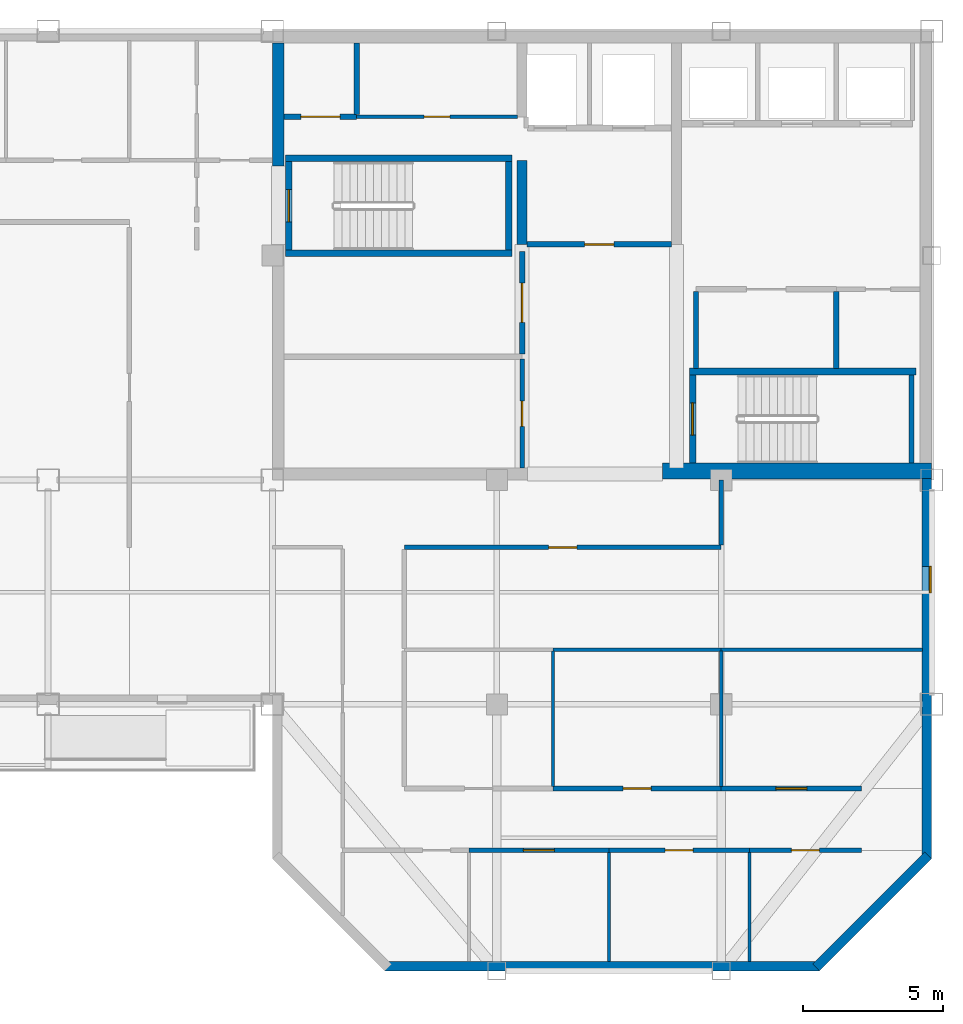
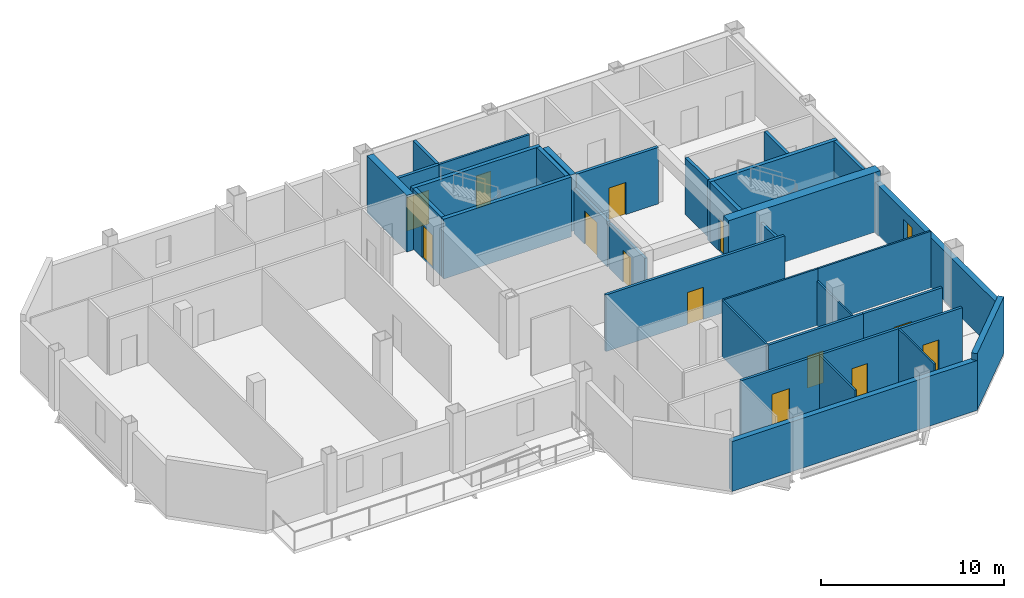
# One storey, part 3 of 7: 34 walls, 13 doors, 1 window, 14 openings.
"""IFC4 building model written with IfcOpenShell, lengths in metres."""

from ifc_helpers import new_model, si_unit, direction, frame, frame_2d, origin, place, context, subcontext, project, spatial, rectangle, extrude, material, layer, layer_set, type_object, element, fill, save


model = new_model("IFC4")

# Units and contexts
model_context = context("Model", 3, precision=1e-05, world=origin(), true_north=direction((0.0, 1.0)))
body_context = subcontext(model_context, "Body", "Model", "MODEL_VIEW")
ifc_project = project(units=[si_unit("LENGTHUNIT", "METRE"), si_unit("AREAUNIT", "SQUARE_METRE"), si_unit("VOLUMEUNIT", "CUBIC_METRE"), si_unit("PLANEANGLEUNIT", "RADIAN"), si_unit("MASSUNIT", "GRAM", prefix="KILO")], contexts=[model_context])

# Site, building, storey
site_placement = place(None, origin())
site = spatial("IfcSite", under=ifc_project, at=site_placement, CompositionType="ELEMENT")
building_placement = place(site_placement, origin())
building = spatial("IfcBuilding", under=site, at=building_placement, Name="Qianrong Seaharbour Tower", CompositionType="ELEMENT")
storey_placement = place(building_placement, frame((0.0, 0.0, 359.199951171875)))
storey = spatial("IfcBuildingStorey", under=building, at=storey_placement, Name="L87", CompositionType="ELEMENT", Elevation=359.199951171875)

# Walls
ifc_material_1 = material(Name="Concrete C50/60", Category="concrete")
ifc_layer_1 = layer(ifc_material_1, 0.419921875)
ifc_layer_set_1 = layer_set([ifc_layer_1], Name="Concrete C50/60")
wall_type_1 = type_object("IfcWallType", Name="WALL-CORE-420", PredefinedType="SHEAR", material=ifc_layer_set_1)
wall_1_placement = place(storey_placement, frame((40.7099609375, 47.199951171875, 0.0), z_axis=(0.0, 0.0, 1.0), x_axis=(0.0, 1.0, 0.0)))
element("IfcWall", 1, at=wall_1_placement, inside=storey, type_object=wall_type_1, Name="L87 West Core Shear Wall North", PredefinedType="SHEAR", context=body_context, shape_type="SweptSolid", body=[
    extrude(rectangle(XDim=4.380126953125, YDim=0.419921875, at=frame_2d((2.18994140625, 0.0))), origin(), (0.0, 0.0, 1.0), 3.78515625),
])
ifc_material_2 = material(Name="Concrete C70/85", Category="concrete")
ifc_layer_2 = layer(ifc_material_2, 0.580078125)
ifc_layer_set_2 = layer_set([ifc_layer_2], Name="Concrete C70/85")
wall_type_2 = type_object("IfcWallType", Name="WALL-CORE-580", PredefinedType="SHEAR", material=ifc_layer_set_2)
wall_2_placement = place(storey_placement, frame((54.39990234375, 36.320068359375, 0.0), z_axis=(0.0, 0.0, 1.0), x_axis=(1.0, 0.0, 0.0)))
element("IfcWall", 2, at=wall_2_placement, inside=storey, type_object=wall_type_2, Name="L87 South Core Shear Wall S3", PredefinedType="SHEAR", context=body_context, shape_type="SweptSolid", body=[
    extrude(rectangle(XDim=9.60009765625, YDim=0.580078125, at=frame_2d((4.800048828125, 0.0))), origin(), (0.0, 0.0, 1.0), 4.0),
])
ifc_layer_3 = layer(ifc_material_1, 0.35009765625)
ifc_layer_set_3 = layer_set([ifc_layer_3], Name="Concrete C50/60")
wall_type_3 = type_object("IfcWallType", Name="WALL-CORE-INT-350", PredefinedType="SHEAR", material=ifc_layer_set_3)
wall_3_placement = place(storey_placement, frame((49.39990234375, 44.39990234375, 0.0), z_axis=(0.0, 0.0, 1.0), x_axis=(0.0, 1.0, 0.0)))
element("IfcWall", 3, at=wall_3_placement, inside=storey, type_object=wall_type_3, Name="L87 Internal Core Shear Wall IW1N1", PredefinedType="SHEAR", context=body_context, shape_type="SweptSolid", body=[
    extrude(rectangle(XDim=3.0, YDim=0.35009765625, at=frame_2d((1.5, 0.0))), origin(), (0.0, 0.0, 1.0), 3.78515625),
])

# Wall, opening, door
ifc_material_3 = material(Name="Fire-rated acoustic gypsum board partition")
ifc_layer_4 = layer(ifc_material_3, 0.1650390625)
ifc_layer_set_4 = layer_set([ifc_layer_4], Name="Fire-rated acoustic gypsum board partition")
wall_type_4 = type_object("IfcWallType", Name="WALL-CORR-PART-165", PredefinedType="PARTITIONING", material=ifc_layer_set_4)
wall_4_placement = place(storey_placement, frame((49.39990234375, 36.419921875, 0.0), z_axis=(0.0, 0.0, 1.0), x_axis=(0.0, 1.0, 0.0)))
wall_4 = element("IfcWall", 4, at=wall_4_placement, inside=storey, type_object=wall_type_4, Name="L87 Interior Partition Wall 010", PredefinedType="PARTITIONING", context=body_context, shape_type="SweptSolid", body=[
    extrude(rectangle(XDim=3.89306640625, YDim=0.1650390625, at=frame_2d((1.946533203125, 0.0))), origin(), (0.0, 0.0, 1.0), 3.027099609375),
])
opening_1_placement = place(wall_4_placement, frame((1.49658203125, 0.0, 0.0)))
opening_1 = element("IfcOpeningElement", 5, at=opening_1_placement, cuts=wall_4, Name="Opening DS-01", PredefinedType="OPENING", context=body_context, shape_type="SweptSolid", body=[
    extrude(rectangle(XDim=0.89990234375, YDim=2.14990234375, at=frame_2d((0.449951171875, 1.074951171875))), frame((0.0, 0.092529296875, 0.0), z_axis=(0.0, -1.0, 0.0), x_axis=(1.0, 0.0, 0.0)), (0.0, 0.0, 1.0), 0.18505859375),
])
ifc_material_4 = material(Name="Acoustic timber and galvanized steel fire door assembly", Category="steel")
door_type_1 = type_object("IfcDoorType", Name="DOOR-STORE-900x2150", OperationType="NOTDEFINED", PredefinedType="DOOR", material=ifc_material_4)
door_1_placement = place(opening_1_placement, origin())
door_1 = element("IfcDoor", 6, at=door_1_placement, inside=storey, type_object=door_type_1, Name="L87 Corporate Archive Room Door", OperationType="SINGLE_SWING_RIGHT", OverallHeight=2.14990234375, OverallWidth=0.89990234375, PredefinedType="DOOR", context=body_context, shape_type="SweptSolid", body=[
    extrude(rectangle(XDim=0.89990234375, YDim=2.14990234375, at=frame_2d((0.449951171875, 1.074951171875))), frame((0.0, 0.02490234375, 0.0), z_axis=(0.0, -1.0, 0.0), x_axis=(1.0, 0.0, 0.0)), (0.0, 0.0, 1.0), 0.050048828125),
])
fill(opening_1, door_1)

# Wall
wall_5_placement = place(storey_placement, frame((56.5, 36.0, 0.0), z_axis=(0.0, 0.0, 1.0), x_axis=(0.0, -1.0, 0.0)))
element("IfcWall", 7, at=wall_5_placement, inside=storey, type_object=wall_type_4, Name="L87 Interior Partition Wall 026", PredefinedType="PARTITIONING", context=body_context, shape_type="SweptSolid", body=[
    extrude(rectangle(XDim=2.325439453125, YDim=0.1650390625, at=frame_2d((1.16259765625, 0.0))), origin(), (0.0, 0.0, 1.0), 3.177001953125),
])

# Wall, opening, door
wall_6_placement = place(storey_placement, frame((56.5, 33.60009765625, 0.0), z_axis=(0.0, 0.0, 1.0), x_axis=(-1.0, 0.0, 0.0)))
wall_6 = element("IfcWall", 8, at=wall_6_placement, inside=storey, type_object=wall_type_4, Name="L87 Interior Partition Wall 027", PredefinedType="PARTITIONING", context=body_context, shape_type="SweptSolid", body=[
    extrude(rectangle(XDim=11.300048828125, YDim=0.1650390625, at=frame_2d((5.64990234375, 0.0))), origin(), (0.0, 0.0, 1.0), 3.78515625),
])
opening_2_placement = place(wall_6_placement, frame((5.14990234375, 0.0, 0.0)))
opening_2 = element("IfcOpeningElement", 9, at=opening_2_placement, cuts=wall_6, Name="Opening DO-01", PredefinedType="OPENING", context=body_context, shape_type="SweptSolid", body=[
    extrude(rectangle(XDim=1.0, YDim=2.14990234375, at=frame_2d((0.5, 1.074951171875))), frame((0.0, 0.092529296875, 0.0), z_axis=(0.0, -1.0, 0.0), x_axis=(1.0, 0.0, 0.0)), (0.0, 0.0, 1.0), 0.18505859375),
])
door_type_2 = type_object("IfcDoorType", Name="DOOR-OFFICE-1000x2150", OperationType="NOTDEFINED", PredefinedType="DOOR", material=ifc_material_4)
door_2_placement = place(opening_2_placement, origin())
door_2 = element("IfcDoor", 10, at=door_2_placement, inside=storey, type_object=door_type_2, Name="L87 Commercial Desk Open-Plan Office Door", OperationType="SINGLE_SWING_LEFT", OverallHeight=2.14990234375, OverallWidth=1.0, PredefinedType="DOOR", context=body_context, shape_type="SweptSolid", body=[
    extrude(rectangle(XDim=1.0, YDim=2.14990234375, at=frame_2d((0.5, 1.074951171875))), frame((0.0, 0.02490234375, 0.0), z_axis=(0.0, -1.0, 0.0), x_axis=(1.0, 0.0, 0.0)), (0.0, 0.0, 1.0), 0.050048828125),
])
fill(opening_2, door_2)

wall_7_placement = place(storey_placement, frame((50.5, 25.0, 0.0), z_axis=(0.0, 0.0, 1.0), x_axis=(1.0, 0.0, 0.0)))
wall_7 = element("IfcWall", 11, at=wall_7_placement, inside=storey, type_object=wall_type_4, Name="L87 Interior Partition Wall 034", PredefinedType="PARTITIONING", context=body_context, shape_type="SweptSolid", body=[
    extrude(rectangle(XDim=6.0, YDim=0.1650390625, at=frame_2d((3.0, 0.0))), origin(), (0.0, 0.0, 1.0), 3.78515625),
])
opening_3_placement = place(wall_7_placement, frame((2.5, 0.0, 0.0)))
opening_3 = element("IfcOpeningElement", 12, at=opening_3_placement, cuts=wall_7, Name="Opening DO-01", PredefinedType="OPENING", context=body_context, shape_type="SweptSolid", body=[
    extrude(rectangle(XDim=1.0, YDim=2.14990234375, at=frame_2d((0.5, 1.074951171875))), frame((0.0, 0.092529296875, 0.0), z_axis=(0.0, -1.0, 0.0), x_axis=(1.0, 0.0, 0.0)), (0.0, 0.0, 1.0), 0.18505859375),
])
door_3_placement = place(opening_3_placement, origin())
door_3 = element("IfcDoor", 13, at=door_3_placement, inside=storey, type_object=door_type_2, Name="L87 Port Equipment Showroom 2 Door", OperationType="SINGLE_SWING_LEFT", OverallHeight=2.14990234375, OverallWidth=1.0, PredefinedType="DOOR", context=body_context, shape_type="SweptSolid", body=[
    extrude(rectangle(XDim=1.0, YDim=2.14990234375, at=frame_2d((0.5, 1.074951171875))), frame((0.0, 0.02490234375, 0.0), z_axis=(0.0, -1.0, 0.0), x_axis=(1.0, 0.0, 0.0)), (0.0, 0.0, 1.0), 0.050048828125),
])
fill(opening_3, door_3)

wall_8_placement = place(storey_placement, frame((56.5, 25.0, 0.0), z_axis=(0.0, 0.0, 1.0), x_axis=(1.0, 0.0, 0.0)))
wall_8 = element("IfcWall", 14, at=wall_8_placement, inside=storey, type_object=wall_type_4, Name="L87 Interior Partition Wall 035", PredefinedType="PARTITIONING", context=body_context, shape_type="SweptSolid", body=[
    extrude(rectangle(XDim=5.0, YDim=0.1650390625, at=frame_2d((2.5, 0.0))), origin(), (0.0, 0.0, 1.0), 3.78515625),
])
opening_4_placement = place(wall_8_placement, frame((1.949951171875, 0.0, 0.0)))
opening_4 = element("IfcOpeningElement", 15, at=opening_4_placement, cuts=wall_8, Name="Opening DM-01", PredefinedType="OPENING", context=body_context, shape_type="SweptSolid", body=[
    extrude(rectangle(XDim=1.10009765625, YDim=2.199951171875, at=frame_2d((0.550048828125, 1.10009765625))), frame((0.0, 0.092529296875, 0.0), z_axis=(0.0, -1.0, 0.0), x_axis=(1.0, 0.0, 0.0)), (0.0, 0.0, 1.0), 0.18505859375),
])
door_type_3 = type_object("IfcDoorType", Name="DOOR-MEET-1100x2200", OperationType="NOTDEFINED", PredefinedType="DOOR", material=ifc_material_4)
door_4_placement = place(opening_4_placement, origin())
door_4 = element("IfcDoor", 16, at=door_4_placement, inside=storey, type_object=door_type_3, Name="L87 Trade Meeting Room 3 Door", OperationType="SINGLE_SWING_RIGHT", OverallHeight=2.199951171875, OverallWidth=1.10009765625, PredefinedType="DOOR", context=body_context, shape_type="SweptSolid", body=[
    extrude(rectangle(XDim=1.10009765625, YDim=2.199951171875, at=frame_2d((0.550048828125, 1.10009765625))), frame((0.0, 0.02490234375, 0.0), z_axis=(0.0, -1.0, 0.0), x_axis=(1.0, 0.0, 0.0)), (0.0, 0.0, 1.0), 0.050048828125),
])
fill(opening_4, door_4)

wall_9_placement = place(storey_placement, frame((52.5, 22.800048828125, 0.0), z_axis=(0.0, 0.0, 1.0), x_axis=(-1.0, 0.0, 0.0)))
wall_9 = element("IfcWall", 17, at=wall_9_placement, inside=storey, type_object=wall_type_4, Name="L87 Interior Partition Wall 037", PredefinedType="PARTITIONING", context=body_context, shape_type="SweptSolid", body=[
    extrude(rectangle(XDim=5.0, YDim=0.1650390625, at=frame_2d((2.5, 0.0))), origin(), (0.0, 0.0, 1.0), 3.78515625),
])
opening_5_placement = place(wall_9_placement, frame((1.949951171875, 0.0, 0.0)))
opening_5 = element("IfcOpeningElement", 18, at=opening_5_placement, cuts=wall_9, Name="Opening DM-01", PredefinedType="OPENING", context=body_context, shape_type="SweptSolid", body=[
    extrude(rectangle(XDim=1.10009765625, YDim=2.199951171875, at=frame_2d((0.550048828125, 1.10009765625))), frame((0.0, 0.092529296875, 0.0), z_axis=(0.0, -1.0, 0.0), x_axis=(1.0, 0.0, 0.0)), (0.0, 0.0, 1.0), 0.18505859375),
])
door_5_placement = place(opening_5_placement, origin())
door_5 = element("IfcDoor", 19, at=door_5_placement, inside=storey, type_object=door_type_3, Name="L87 Contract Signing Room 2 Door", OperationType="SINGLE_SWING_LEFT", OverallHeight=2.199951171875, OverallWidth=1.10009765625, PredefinedType="DOOR", context=body_context, shape_type="SweptSolid", body=[
    extrude(rectangle(XDim=1.10009765625, YDim=2.199951171875, at=frame_2d((0.550048828125, 1.10009765625))), frame((0.0, 0.02490234375, 0.0), z_axis=(0.0, -1.0, 0.0), x_axis=(1.0, 0.0, 0.0)), (0.0, 0.0, 1.0), 0.050048828125),
])
fill(opening_5, door_5)

wall_10_placement = place(storey_placement, frame((57.5, 22.800048828125, 0.0), z_axis=(0.0, 0.0, 1.0), x_axis=(-1.0, 0.0, 0.0)))
wall_10 = element("IfcWall", 20, at=wall_10_placement, inside=storey, type_object=wall_type_4, Name="L87 Interior Partition Wall 038", PredefinedType="PARTITIONING", context=body_context, shape_type="SweptSolid", body=[
    extrude(rectangle(XDim=5.0, YDim=0.1650390625, at=frame_2d((2.5, 0.0))), origin(), (0.0, 0.0, 1.0), 3.78515625),
])
opening_6_placement = place(wall_10_placement, frame((2.0, 0.0, 0.0)))
opening_6 = element("IfcOpeningElement", 21, at=opening_6_placement, cuts=wall_10, Name="Opening DO-01", PredefinedType="OPENING", context=body_context, shape_type="SweptSolid", body=[
    extrude(rectangle(XDim=1.0, YDim=2.14990234375, at=frame_2d((0.5, 1.074951171875))), frame((0.0, 0.092529296875, 0.0), z_axis=(0.0, -1.0, 0.0), x_axis=(1.0, 0.0, 0.0)), (0.0, 0.0, 1.0), 0.18505859375),
])
door_6_placement = place(opening_6_placement, origin())
door_6 = element("IfcDoor", 22, at=door_6_placement, inside=storey, type_object=door_type_2, Name="L87 Marine Showcase Showroom 3 Door", OperationType="SINGLE_SWING_RIGHT", OverallHeight=2.14990234375, OverallWidth=1.0, PredefinedType="DOOR", context=body_context, shape_type="SweptSolid", body=[
    extrude(rectangle(XDim=1.0, YDim=2.14990234375, at=frame_2d((0.5, 1.074951171875))), frame((0.0, 0.02490234375, 0.0), z_axis=(0.0, -1.0, 0.0), x_axis=(1.0, 0.0, 0.0)), (0.0, 0.0, 1.0), 0.050048828125),
])
fill(opening_6, door_6)

wall_11_placement = place(storey_placement, frame((61.5, 22.800048828125, 0.0), z_axis=(0.0, 0.0, 1.0), x_axis=(-1.0, 0.0, 0.0)))
wall_11 = element("IfcWall", 23, at=wall_11_placement, inside=storey, type_object=wall_type_4, Name="L87 Interior Partition Wall 039", PredefinedType="PARTITIONING", context=body_context, shape_type="SweptSolid", body=[
    extrude(rectangle(XDim=4.0, YDim=0.1650390625, at=frame_2d((2.0, 0.0))), origin(), (0.0, 0.0, 1.0), 3.78515625),
])
opening_7_placement = place(wall_11_placement, frame((1.5, 0.0, 0.0)))
opening_7 = element("IfcOpeningElement", 24, at=opening_7_placement, cuts=wall_11, Name="Opening DO-01", PredefinedType="OPENING", context=body_context, shape_type="SweptSolid", body=[
    extrude(rectangle(XDim=1.0, YDim=2.14990234375, at=frame_2d((0.5, 1.074951171875))), frame((0.0, 0.092529296875, 0.0), z_axis=(0.0, -1.0, 0.0), x_axis=(1.0, 0.0, 0.0)), (0.0, 0.0, 1.0), 0.18505859375),
])
door_7_placement = place(opening_7_placement, origin())
door_7 = element("IfcDoor", 25, at=door_7_placement, inside=storey, type_object=door_type_2, Name="L87 Brokerage Office 4 Door", OperationType="SINGLE_SWING_LEFT", OverallHeight=2.14990234375, OverallWidth=1.0, PredefinedType="DOOR", context=body_context, shape_type="SweptSolid", body=[
    extrude(rectangle(XDim=1.0, YDim=2.14990234375, at=frame_2d((0.5, 1.074951171875))), frame((0.0, 0.02490234375, 0.0), z_axis=(0.0, -1.0, 0.0), x_axis=(1.0, 0.0, 0.0)), (0.0, 0.0, 1.0), 0.050048828125),
])
fill(opening_7, door_7)

# Walls
ifc_material_5 = material(Name="Demountable aluminium-framed acoustic office partition", Category="aluminium")
ifc_layer_5 = layer(ifc_material_5, 0.110107421875)
ifc_layer_set_5 = layer_set([ifc_layer_5], Name="Demountable aluminium-framed acoustic office partition")
wall_type_5 = type_object("IfcWallType", Name="WALL-DEMOUNT-110", PredefinedType="MOVABLE", material=ifc_layer_set_5)
wall_12_placement = place(storey_placement, frame((56.5, 29.949951171875, 0.0), z_axis=(0.0, 0.0, 1.0), x_axis=(-1.0, 0.0, 0.0)))
element("IfcWall", 26, at=wall_12_placement, inside=storey, type_object=wall_type_5, Name="L87 Interior Partition Wall 041", PredefinedType="MOVABLE", context=body_context, shape_type="SweptSolid", body=[
    extrude(rectangle(XDim=6.0, YDim=0.110107421875, at=frame_2d((3.0, 0.0))), origin(), (0.0, 0.0, 1.0), 3.78515625),
])
wall_13_placement = place(storey_placement, frame((63.66796875, 29.949951171875, 0.0), z_axis=(0.0, 0.0, 1.0), x_axis=(-1.0, 0.0, 0.0)))
element("IfcWall", 27, at=wall_13_placement, inside=storey, type_object=wall_type_5, Name="L87 Interior Partition Wall 042", PredefinedType="MOVABLE", context=body_context, shape_type="SweptSolid", body=[
    extrude(rectangle(XDim=7.16796875, YDim=0.110107421875, at=frame_2d((3.583984375, 0.0))), origin(), (0.0, 0.0, 1.0), 3.78515625),
])
wall_14_placement = place(storey_placement, frame((50.5, 29.903076171875, 0.0), z_axis=(0.0, 0.0, 1.0), x_axis=(0.0, -1.0, 0.0)))
element("IfcWall", 28, at=wall_14_placement, inside=storey, type_object=wall_type_5, Name="L87 Interior Partition Wall 043", PredefinedType="MOVABLE", context=body_context, shape_type="SweptSolid", body=[
    extrude(rectangle(XDim=4.82861328125, YDim=0.110107421875, at=frame_2d((2.414306640625, 0.0))), origin(), (0.0, 0.0, 1.0), 3.78515625),
])
wall_15_placement = place(storey_placement, frame((56.5, 29.903076171875, 0.0), z_axis=(0.0, 0.0, 1.0), x_axis=(0.0, -1.0, 0.0)))
element("IfcWall", 29, at=wall_15_placement, inside=storey, type_object=wall_type_5, Name="L87 Interior Partition Wall 044", PredefinedType="MOVABLE", context=body_context, shape_type="SweptSolid", body=[
    extrude(rectangle(XDim=4.82861328125, YDim=0.110107421875, at=frame_2d((2.414306640625, 0.0))), origin(), (0.0, 0.0, 1.0), 2.97705078125),
])
for number, where, z_axis, x_axis, name in (
    (30, (52.5, 22.7255859375, 0.0), (0.0, 0.0, 1.0), (0.0, -1.0, 0.0), "L87 Interior Partition Wall 052"),
    (31, (57.5, 22.7255859375, 0.0), (0.0, 0.0, 1.0), (0.0, -1.0, 0.0), "L87 Interior Partition Wall 053"),
):
    element("IfcWall", number, at=place(storey_placement, frame(where, z_axis=z_axis, x_axis=x_axis)), inside=storey, type_object=wall_type_5, Name=name, PredefinedType="MOVABLE", context=body_context, shape_type="SweptSolid", body=[
        extrude(rectangle(XDim=3.8935546875, YDim=0.110107421875, at=frame_2d((1.94677734375, 0.0))), origin(), (0.0, 0.0, 1.0), 3.78515625),
    ])

# Wall, opening, window
ifc_material_6 = material(Name="Unitised buff brick on Precast concrete C45/55", Category="masonry")
ifc_layer_6 = layer(ifc_material_6, 0.340087890625)
ifc_layer_set_6 = layer_set([ifc_layer_6], Name="Unitised buff brick on Precast concrete C45/55")
wall_type_6 = type_object("IfcWallType", Name="WALL-EXT-BRICK-BUFF-340", PredefinedType="SOLIDWALL", material=ifc_layer_set_6)
wall_16_placement = place(storey_placement, frame((63.830078125, 36.050048828125, 0.0), z_axis=(0.0, 0.0, 1.0), x_axis=(0.0, -1.0, 0.0)))
wall_16 = element("IfcWall", 32, at=wall_16_placement, inside=storey, type_object=wall_type_6, Name="L87 Exterior Masonry Facade Wall EAST_WING", PredefinedType="SOLIDWALL", context=body_context, shape_type="SweptSolid", body=[
    extrude(rectangle(XDim=13.550048828125, YDim=0.340087890625, at=frame_2d((6.77490234375, 0.0))), origin(), (0.0, 0.0, 1.0), 3.3349609375),
])
opening_8_placement = place(wall_16_placement, frame((3.125, 0.0, 0.89990234375)))
opening_8 = element("IfcOpeningElement", 33, at=opening_8_placement, cuts=wall_16, Name="Opening WN-13", PredefinedType="OPENING", context=body_context, shape_type="SweptSolid", body=[
    extrude(rectangle(XDim=0.949951171875, YDim=1.85009765625, at=frame_2d((0.47509765625, 0.925048828125))), frame((0.0, 0.18017578125, 0.0), z_axis=(0.0, -1.0, 0.0), x_axis=(1.0, 0.0, 0.0)), (0.0, 0.0, 1.0), 0.360107421875),
])
ifc_material_7 = material(Name="Insulated low-e double glazing in thermally broken aluminium 6063-T6 frame", Category="aluminium")
window_type = type_object("IfcWindowType", Name="WIN-NARROW-950x1850", PartitioningType="SINGLE_PANEL", PredefinedType="WINDOW", material=ifc_material_7)
window_placement = place(opening_8_placement, origin())
window = element("IfcWindow", 34, at=window_placement, inside=storey, type_object=window_type, Name="L87 Deep-Set Punched Window 06.01", OverallHeight=1.85009765625, OverallWidth=0.949951171875, PartitioningType="SINGLE_PANEL", PredefinedType="WINDOW", context=body_context, shape_type="SweptSolid", body=[
    extrude(rectangle(XDim=0.949951171875, YDim=1.85009765625, at=frame_2d((0.47509765625, 0.925048828125))), frame((0.0, 0.150146484375, 0.0), z_axis=(0.0, -1.0, 0.0), x_axis=(1.0, 0.0, 0.0)), (0.0, 0.0, 1.0), 0.06005859375),
])
fill(opening_8, window)

# Walls
wall_17_placement = place(storey_placement, frame((63.8798828125, 22.6201171875, 0.0), z_axis=(0.0, 0.0, 1.0), x_axis=(-0.707106781187, -0.707106781187, 0.0)))
element("IfcWall", 35, at=wall_17_placement, inside=storey, type_object=wall_type_6, Name="L87 Exterior Masonry Facade Wall E07", PredefinedType="SOLIDWALL", context=body_context, shape_type="SweptSolid", body=[
    extrude(rectangle(XDim=5.65673828125, YDim=0.340087890625, at=frame_2d((2.828369140625, 0.0))), origin(), (0.0, 0.0, 1.0), 3.78515625),
])
wall_18_placement = place(storey_placement, frame((60.0, 18.669921875, 0.0), z_axis=(0.0, 0.0, 1.0), x_axis=(-1.0, 0.0, 0.0)))
element("IfcWall", 36, at=wall_18_placement, inside=storey, type_object=wall_type_6, Name="L87 Exterior Masonry Facade Wall SOUTH_TIP", PredefinedType="SOLIDWALL", context=body_context, shape_type="SweptSolid", body=[
    extrude(rectangle(XDim=15.5, YDim=0.340087890625, at=frame_2d((7.75, 0.0))), origin(), (0.0, 0.0, 1.0), 3.3349609375),
])

# Wall, opening, door
ifc_material_8 = material(Name="Double fire-rated gypsum board acoustic partition")
ifc_layer_7 = layer(ifc_material_8, 0.18994140625)
ifc_layer_set_7 = layer_set([ifc_layer_7], Name="Double fire-rated gypsum board acoustic partition")
wall_type_7 = type_object("IfcWallType", Name="WALL-FIRE-PART-190", PredefinedType="PARTITIONING", material=ifc_layer_set_7)
wall_19_placement = place(storey_placement, frame((40.919921875, 48.949951171875, 0.0), z_axis=(0.0, 0.0, 1.0), x_axis=(1.0, 0.0, 0.0)))
wall_19 = element("IfcWall", 37, at=wall_19_placement, inside=storey, type_object=wall_type_7, Name="L87 Interior Partition Wall 007", PredefinedType="PARTITIONING", context=body_context, shape_type="SweptSolid", body=[
    extrude(rectangle(XDim=2.580078125, YDim=0.18994140625, at=frame_2d((1.2900390625, 0.0))), origin(), (0.0, 0.0, 1.0), 3.78515625),
])
opening_9_placement = place(wall_19_placement, frame((0.590087890625, 0.0, 0.0)))
opening_9 = element("IfcOpeningElement", 38, at=opening_9_placement, cuts=wall_19, Name="Opening DP-01", PredefinedType="OPENING", context=body_context, shape_type="SweptSolid", body=[
    extrude(rectangle(XDim=1.39990234375, YDim=2.25, at=frame_2d((0.699951171875, 1.125))), frame((0.0, 0.10498046875, 0.0), z_axis=(0.0, -1.0, 0.0), x_axis=(1.0, 0.0, 0.0)), (0.0, 0.0, 1.0), 0.2099609375),
])
door_type_4 = type_object("IfcDoorType", Name="DOOR-PLANT-PAIR-1400x2250", OperationType="DOUBLE_DOOR_SINGLE_SWING", PredefinedType="DOOR", material=ifc_material_4)
door_8_placement = place(opening_9_placement, origin())
door_8 = element("IfcDoor", 39, at=door_8_placement, inside=storey, type_object=door_type_4, Name="L87 Core Electrical Closet Door", OperationType="DOUBLE_DOOR_SINGLE_SWING", OverallHeight=2.25, OverallWidth=1.39990234375, PredefinedType="DOOR", context=body_context, shape_type="SweptSolid", body=[
    extrude(rectangle(XDim=1.39990234375, YDim=2.25, at=frame_2d((0.699951171875, 1.125))), frame((0.0, 0.02490234375, 0.0), z_axis=(0.0, -1.0, 0.0), x_axis=(1.0, 0.0, 0.0)), (0.0, 0.0, 1.0), 0.050048828125),
])
fill(opening_9, door_8)

wall_20_placement = place(storey_placement, frame((54.73291015625, 44.39990234375, 0.0), z_axis=(0.0, 0.0, 1.0), x_axis=(-1.0, 0.0, 0.0)))
wall_20 = element("IfcWall", 40, at=wall_20_placement, inside=storey, type_object=wall_type_7, Name="L87 Interior Partition Wall 009", PredefinedType="PARTITIONING", context=body_context, shape_type="SweptSolid", body=[
    extrude(rectangle(XDim=5.166015625, YDim=0.18994140625, at=frame_2d((2.5830078125, 0.0))), origin(), (0.0, 0.0, 1.0), 3.78515625),
])
opening_10_placement = place(wall_20_placement, frame((2.05810546875, 0.0, 0.0)))
opening_10 = element("IfcOpeningElement", 41, at=opening_10_placement, cuts=wall_20, Name="Opening DC-01", PredefinedType="OPENING", context=body_context, shape_type="SweptSolid", body=[
    extrude(rectangle(XDim=1.050048828125, YDim=2.14990234375, at=frame_2d((0.52490234375, 1.074951171875))), frame((0.0, 0.10498046875, 0.0), z_axis=(0.0, -1.0, 0.0), x_axis=(1.0, 0.0, 0.0)), (0.0, 0.0, 1.0), 0.2099609375),
])
door_type_5 = type_object("IfcDoorType", Name="DOOR-CORR-FD60-1050x2150", OperationType="NOTDEFINED", PredefinedType="DOOR", material=ifc_material_4)
door_9_placement = place(opening_10_placement, origin())
door_9 = element("IfcDoor", 42, at=door_9_placement, inside=storey, type_object=door_type_5, Name="L87 Firefighting Lift Lobby Door", OperationType="SINGLE_SWING_LEFT", OverallHeight=2.14990234375, OverallWidth=1.050048828125, PredefinedType="DOOR", context=body_context, shape_type="SweptSolid", body=[
    extrude(rectangle(XDim=1.050048828125, YDim=2.14990234375, at=frame_2d((0.52490234375, 1.074951171875))), frame((0.0, 0.02490234375, 0.0), z_axis=(0.0, -1.0, 0.0), x_axis=(1.0, 0.0, 0.0)), (0.0, 0.0, 1.0), 0.050048828125),
])
fill(opening_10, door_9)

wall_21_placement = place(storey_placement, frame((49.39990234375, 40.487060546875, 0.0), z_axis=(0.0, 0.0, 1.0), x_axis=(0.0, 1.0, 0.0)))
wall_21 = element("IfcWall", 43, at=wall_21_placement, inside=storey, type_object=wall_type_7, Name="L87 Interior Partition Wall 011", PredefinedType="PARTITIONING", context=body_context, shape_type="SweptSolid", body=[
    extrude(rectangle(XDim=3.662841796875, YDim=0.18994140625, at=frame_2d((1.83154296875, 0.0))), origin(), (0.0, 0.0, 1.0), 3.027099609375),
])
opening_11_placement = place(wall_21_placement, frame((1.131591796875, 0.0, 0.0)))
opening_11 = element("IfcOpeningElement", 44, at=opening_11_placement, cuts=wall_21, Name="Opening DP-01", PredefinedType="OPENING", context=body_context, shape_type="SweptSolid", body=[
    extrude(rectangle(XDim=1.39990234375, YDim=2.25, at=frame_2d((0.699951171875, 1.125))), frame((0.0, 0.10498046875, 0.0), z_axis=(0.0, -1.0, 0.0), x_axis=(1.0, 0.0, 0.0)), (0.0, 0.0, 1.0), 0.2099609375),
])
door_10_placement = place(opening_11_placement, origin())
door_10 = element("IfcDoor", 45, at=door_10_placement, inside=storey, type_object=door_type_4, Name="L87 Telecom Server Room Door", OperationType="DOUBLE_DOOR_SINGLE_SWING", OverallHeight=2.25, OverallWidth=1.39990234375, PredefinedType="DOOR", context=body_context, shape_type="SweptSolid", body=[
    extrude(rectangle(XDim=1.39990234375, YDim=2.25, at=frame_2d((0.699951171875, 1.125))), frame((0.0, 0.02490234375, 0.0), z_axis=(0.0, -1.0, 0.0), x_axis=(1.0, 0.0, 0.0)), (0.0, 0.0, 1.0), 0.050048828125),
])
fill(opening_11, door_10)

# Walls
wall_22_placement = place(storey_placement, frame((55.60009765625, 42.712890625, 0.0), z_axis=(0.0, 0.0, 1.0), x_axis=(0.0, -1.0, 0.0)))
element("IfcWall", 46, at=wall_22_placement, inside=storey, type_object=wall_type_7, Name="L87 Interior Partition Wall 012", PredefinedType="PARTITIONING", context=body_context, shape_type="SweptSolid", body=[
    extrude(rectangle(XDim=2.73095703125, YDim=0.18994140625, at=frame_2d((1.365478515625, 0.0))), origin(), (0.0, 0.0, 1.0), 3.78515625),
])
wall_23_placement = place(storey_placement, frame((43.5, 51.580078125, 0.0), z_axis=(0.0, 0.0, 1.0), x_axis=(0.0, -1.0, 0.0)))
element("IfcWall", 47, at=wall_23_placement, inside=storey, type_object=wall_type_7, Name="L87 Interior Partition Wall 016", PredefinedType="PARTITIONING", context=body_context, shape_type="SweptSolid", body=[
    extrude(rectangle(XDim=2.54296875, YDim=0.18994140625, at=frame_2d((1.271484375, 0.0))), origin(), (0.0, 0.0, 1.0), 3.78515625),
])
wall_24_placement = place(storey_placement, frame((60.60009765625, 42.712890625, 0.0), z_axis=(0.0, 0.0, 1.0), x_axis=(0.0, -1.0, 0.0)))
element("IfcWall", 48, at=wall_24_placement, inside=storey, type_object=wall_type_7, Name="L87 Interior Partition Wall 017", PredefinedType="PARTITIONING", context=body_context, shape_type="SweptSolid", body=[
    extrude(rectangle(XDim=2.73095703125, YDim=0.18994140625, at=frame_2d((1.365478515625, 0.0))), origin(), (0.0, 0.0, 1.0), 3.78515625),
])
ifc_layer_8 = layer(ifc_material_1, 0.239990234375)
ifc_layer_set_8 = layer_set([ifc_layer_8], Name="Concrete C50/60")
wall_type_8 = type_object("IfcWallType", Name="WALL-SHAFT-RC240", PredefinedType="SOLIDWALL", material=ifc_layer_set_8)
for number, where, z_axis, x_axis, name in (
    (49, (40.9599609375, 47.469970703125, 0.0), (0.0, 0.0, 1.0), (1.0, 0.0, 0.0), "L87 ST-1 Structural Stair Core Wall N"),
    (50, (49.0400390625, 44.080078125, 0.0), (0.0, 0.0, 1.0), (-1.0, 0.0, 0.0), "L87 ST-1 Structural Stair Core Wall S"),
):
    element("IfcWall", number, at=place(storey_placement, frame(where, z_axis=z_axis, x_axis=x_axis)), inside=storey, type_object=wall_type_8, Name=name, PredefinedType="SOLIDWALL", context=body_context, shape_type="SweptSolid", body=[
        extrude(rectangle(XDim=8.080078125, YDim=0.239990234375, at=frame_2d((4.0400390625, 0.0))), origin(), (0.0, 0.0, 1.0), 4.0),
    ])

# Wall, opening, door
wall_25_placement = place(storey_placement, frame((41.080078125, 47.35009765625, 0.0), z_axis=(0.0, 0.0, 1.0), x_axis=(0.0, -1.0, 0.0)))
wall_25 = element("IfcWall", 51, at=wall_25_placement, inside=storey, type_object=wall_type_8, Name="L87 ST-1 Structural Stair Core Wall W", PredefinedType="SOLIDWALL", context=body_context, shape_type="SweptSolid", body=[
    extrude(rectangle(XDim=3.150146484375, YDim=0.239990234375, at=frame_2d((1.5751953125, 0.0))), origin(), (0.0, 0.0, 1.0), 4.0),
])
opening_12_placement = place(wall_25_placement, frame((1.0, 0.0, 0.0)))
opening_12 = element("IfcOpeningElement", 52, at=opening_12_placement, cuts=wall_25, Name="Opening SD-01", PredefinedType="OPENING", context=body_context, shape_type="SweptSolid", body=[
    extrude(rectangle(XDim=1.14990234375, YDim=2.199951171875, at=frame_2d((0.574951171875, 1.10009765625))), frame((0.0, 0.1298828125, 0.0), z_axis=(0.0, -1.0, 0.0), x_axis=(1.0, 0.0, 0.0)), (0.0, 0.0, 1.0), 0.260009765625),
])
door_type_6 = type_object("IfcDoorType", Name="DOOR-STAIR-FD60-1150x2200", OperationType="NOTDEFINED", PredefinedType="DOOR", material=ifc_material_4)
door_11_placement = place(opening_12_placement, origin())
door_11 = element("IfcDoor", 53, at=door_11_placement, inside=storey, type_object=door_type_6, Name="L87 ST-1 Protected Stair Door", OperationType="SINGLE_SWING_RIGHT", OverallHeight=2.199951171875, OverallWidth=1.14990234375, PredefinedType="DOOR", context=body_context, shape_type="SweptSolid", body=[
    extrude(rectangle(XDim=1.14990234375, YDim=2.199951171875, at=frame_2d((0.574951171875, 1.10009765625))), frame((0.0, 0.02490234375, 0.0), z_axis=(0.0, -1.0, 0.0), x_axis=(1.0, 0.0, 0.0)), (0.0, 0.0, 1.0), 0.050048828125),
])
fill(opening_12, door_11)

# Walls
wall_26_placement = place(storey_placement, frame((48.919921875, 44.199951171875, 0.0), z_axis=(0.0, 0.0, 1.0), x_axis=(0.0, 1.0, 0.0)))
element("IfcWall", 54, at=wall_26_placement, inside=storey, type_object=wall_type_8, Name="L87 ST-1 Structural Stair Core Wall E", PredefinedType="SOLIDWALL", context=body_context, shape_type="SweptSolid", body=[
    extrude(rectangle(XDim=3.150146484375, YDim=0.239990234375, at=frame_2d((1.5751953125, 0.0))), origin(), (0.0, 0.0, 1.0), 4.0),
])
wall_27_placement = place(storey_placement, frame((55.360107421875, 39.8701171875, 0.0), z_axis=(0.0, 0.0, 1.0), x_axis=(1.0, 0.0, 0.0)))
element("IfcWall", 55, at=wall_27_placement, inside=storey, type_object=wall_type_8, Name="L87 ST-2 Structural Stair Core Wall N", PredefinedType="SOLIDWALL", context=body_context, shape_type="SweptSolid", body=[
    extrude(rectangle(XDim=8.079833984375, YDim=0.239990234375, at=frame_2d((4.0400390625, 0.0))), origin(), (0.0, 0.0, 1.0), 4.0),
])

# Wall, opening, door
wall_28_placement = place(storey_placement, frame((55.47998046875, 39.75, 0.0), z_axis=(0.0, 0.0, 1.0), x_axis=(0.0, -1.0, 0.0)))
wall_28 = element("IfcWall", 56, at=wall_28_placement, inside=storey, type_object=wall_type_8, Name="L87 ST-2 Structural Stair Core Wall W", PredefinedType="SOLIDWALL", context=body_context, shape_type="SweptSolid", body=[
    extrude(rectangle(XDim=3.14990234375, YDim=0.239990234375, at=frame_2d((1.574951171875, 0.0))), origin(), (0.0, 0.0, 1.0), 4.0),
])
opening_13_placement = place(wall_28_placement, frame((1.0, 0.0, 0.0)))
opening_13 = element("IfcOpeningElement", 57, at=opening_13_placement, cuts=wall_28, Name="Opening SD-01", PredefinedType="OPENING", context=body_context, shape_type="SweptSolid", body=[
    extrude(rectangle(XDim=1.14990234375, YDim=2.199951171875, at=frame_2d((0.574951171875, 1.10009765625))), frame((0.0, 0.1298828125, 0.0), z_axis=(0.0, -1.0, 0.0), x_axis=(1.0, 0.0, 0.0)), (0.0, 0.0, 1.0), 0.260009765625),
])
door_12_placement = place(opening_13_placement, origin())
door_12 = element("IfcDoor", 58, at=door_12_placement, inside=storey, type_object=door_type_6, Name="L87 ST-2 Protected Stair Door", OperationType="SINGLE_SWING_RIGHT", OverallHeight=2.199951171875, OverallWidth=1.14990234375, PredefinedType="DOOR", context=body_context, shape_type="SweptSolid", body=[
    extrude(rectangle(XDim=1.14990234375, YDim=2.199951171875, at=frame_2d((0.574951171875, 1.10009765625))), frame((0.0, 0.02490234375, 0.0), z_axis=(0.0, -1.0, 0.0), x_axis=(1.0, 0.0, 0.0)), (0.0, 0.0, 1.0), 0.050048828125),
])
fill(opening_13, door_12)

# Wall
wall_29_placement = place(storey_placement, frame((63.2900390625, 36.60009765625, 0.0), z_axis=(0.0, 0.0, 1.0), x_axis=(0.0, 1.0, 0.0)))
element("IfcWall", 59, at=wall_29_placement, inside=storey, type_object=wall_type_8, Name="L87 ST-2 Structural Stair Core Wall E", PredefinedType="SOLIDWALL", context=body_context, shape_type="SweptSolid", body=[
    extrude(rectangle(XDim=3.14990234375, YDim=0.179931640625, at=frame_2d((1.574951171875, 0.0))), origin(), (0.0, 0.0, 1.0), 4.0),
])

# Wall, opening, door
ifc_material_9 = material(Name="Water-resistant cement board sanitary partition")
ifc_layer_9 = layer(ifc_material_9, 0.1298828125)
ifc_layer_set_9 = layer_set([ifc_layer_9], Name="Water-resistant cement board sanitary partition")
wall_type_9 = type_object("IfcWallType", Name="WALL-WET-PART-130", PredefinedType="PARTITIONING", material=ifc_layer_set_9)
wall_30_placement = place(storey_placement, frame((43.5, 48.949951171875, 0.0), z_axis=(0.0, 0.0, 1.0), x_axis=(1.0, 0.0, 0.0)))
wall_30 = element("IfcWall", 60, at=wall_30_placement, inside=storey, type_object=wall_type_9, Name="L87 Interior Partition Wall 008", PredefinedType="PARTITIONING", context=body_context, shape_type="SweptSolid", body=[
    extrude(rectangle(XDim=5.73291015625, YDim=0.1298828125, at=frame_2d((2.866455078125, 0.0))), origin(), (0.0, 0.0, 1.0), 3.78515625),
])
opening_14_placement = place(wall_30_placement, frame((2.406494140625, 0.0, 0.0)))
opening_14 = element("IfcOpeningElement", 61, at=opening_14_placement, cuts=wall_30, Name="Opening DW-01", PredefinedType="OPENING", context=body_context, shape_type="SweptSolid", body=[
    extrude(rectangle(XDim=0.919921875, YDim=2.14990234375, at=frame_2d((0.4599609375, 1.074951171875))), frame((0.0, 0.074951171875, 0.0), z_axis=(0.0, -1.0, 0.0), x_axis=(1.0, 0.0, 0.0)), (0.0, 0.0, 1.0), 0.14990234375),
])
door_type_7 = type_object("IfcDoorType", Name="DOOR-WC-920x2150", OperationType="NOTDEFINED", PredefinedType="DOOR", material=ifc_material_4)
door_13_placement = place(opening_14_placement, origin())
door_13 = element("IfcDoor", 62, at=door_13_placement, inside=storey, type_object=door_type_7, Name="L87 Staff Restroom WC Door", OperationType="SINGLE_SWING_LEFT", OverallHeight=2.14990234375, OverallWidth=0.919921875, PredefinedType="DOOR", context=body_context, shape_type="SweptSolid", body=[
    extrude(rectangle(XDim=0.919921875, YDim=2.14990234375, at=frame_2d((0.4599609375, 1.074951171875))), frame((0.0, 0.02490234375, 0.0), z_axis=(0.0, -1.0, 0.0), x_axis=(1.0, 0.0, 0.0)), (0.0, 0.0, 1.0), 0.050048828125),
])
fill(opening_14, door_13)

save(model, "model.ifc")
